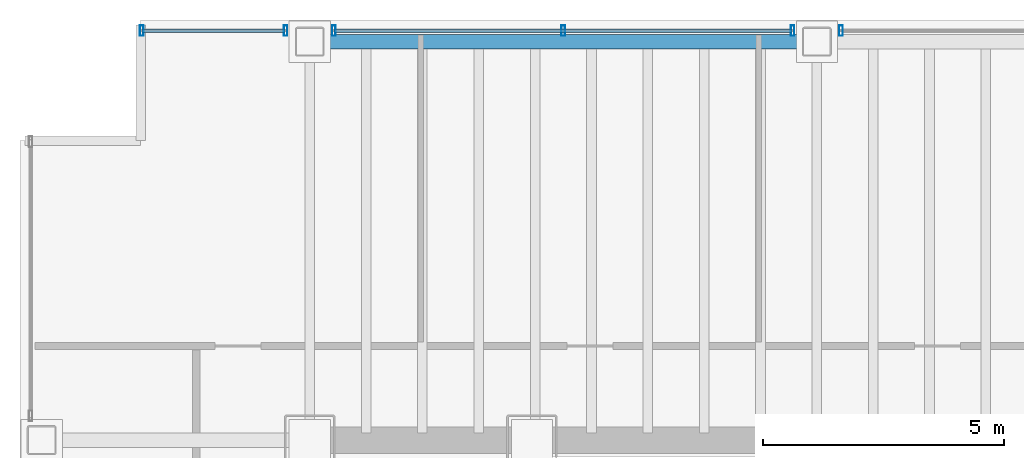
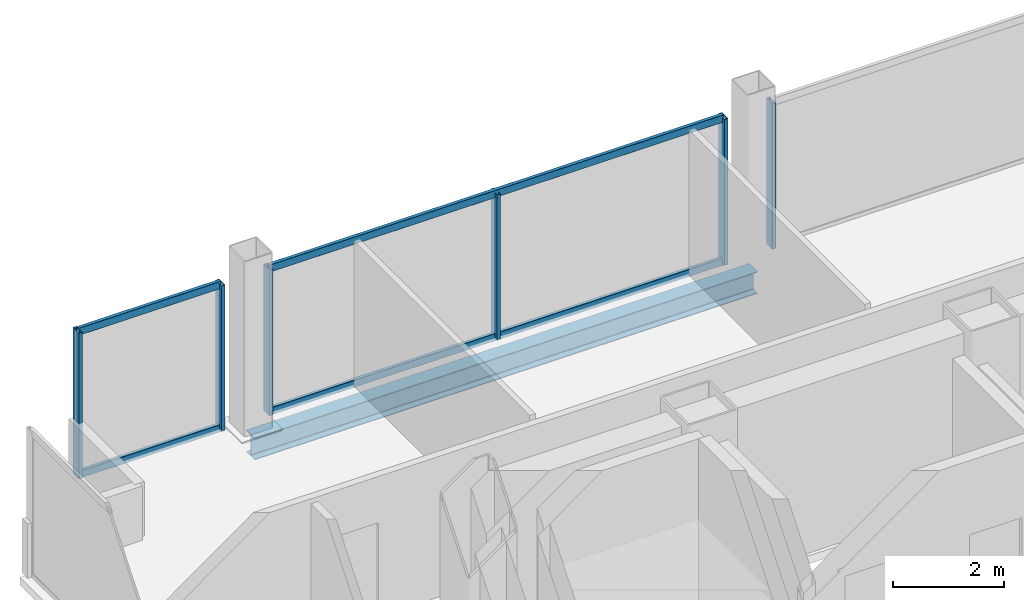
# One storey, part 13 of 20: 10 members, 1 beam, 3 elements without a shape of their own.
"""IFC4 building model written with IfcOpenShell, lengths in metres."""

import ifcopenshell
import ifcopenshell.guid

model = None  # the IFC model being written
_history = None  # IfcOwnerHistory: only IFC2X3 demands one
_inside = {}  # id of a spatial element -> (the spatial element, [elements in it])
_under = {}  # id of a project, library or spatial element -> (it, [spatial elements below it])
_declared = {}  # id of a project -> (the project, [libraries it declares])
_typed = {}  # id of a type object -> (the type object, [elements of that type])
_made_of = {}  # id of a material, layer set ... -> (it, [elements and type objects made of it])


def new_model(schema):
    """Start an empty IFC model of exactly this schema.

    Asked for "IFC4X3", IfcOpenShell would pick the latest addendum, in which some entities
    have other attributes; the version numbers below select the first issue.
    IFC2X3 requires an IfcOwnerHistory on every rooted entity: one is made here for all.
    """
    global model, _history
    if schema == "IFC4X3":
        model = ifcopenshell.file(schema_version=(4, 3, 0, 0))
    else:
        model = ifcopenshell.file(schema=schema)
    _inside.clear()
    _under.clear()
    _declared.clear()
    _typed.clear()
    _made_of.clear()
    _history = None
    if model.schema == "IFC2X3":
        org = make("IfcOrganization", Name="unknown")
        user = make(
            "IfcPersonAndOrganization",
            ThePerson=make("IfcPerson", FamilyName="unknown"),
            TheOrganization=org,
        )
        app = make(
            "IfcApplication",
            ApplicationDeveloper=org,
            Version="unknown",
            ApplicationFullName="unknown",
            ApplicationIdentifier="unknown",
        )
        _history = make(
            "IfcOwnerHistory",
            OwningUser=user,
            OwningApplication=app,
            ChangeAction="ADDED",
            CreationDate=0,
        )
    return model


def make(cls, **values):
    """One entity of the class cls with the attributes given. An attribute that is None is left unset."""
    return model.create_entity(
        cls, **{name: value for name, value in values.items() if value is not None}
    )


def rooted(cls, **values):
    """An entity with a GlobalId (a new one), such as an element, a storey or a relation."""
    return make(cls, GlobalId=ifcopenshell.guid.new(), OwnerHistory=_history, **values)


def si_unit(unit_type, name, prefix=None):
    """IfcSIUnit, for example si_unit("LENGTHUNIT", "METRE", prefix="MILLI")."""
    return make("IfcSIUnit", UnitType=unit_type, Prefix=prefix, Name=name)


def assignment(units):
    """IfcUnitAssignment: the units of a project."""
    return None if units is None else make("IfcUnitAssignment", Units=units)


def point(xyz):
    """IfcCartesianPoint."""
    return None if xyz is None else make("IfcCartesianPoint", Coordinates=xyz)


def direction(xyz):
    """IfcDirection."""
    return None if xyz is None else make("IfcDirection", DirectionRatios=xyz)


def frame(location, z_axis=None, x_axis=None):
    """IfcAxis2Placement3D, a coordinate frame: its origin and axes. An axis left out is left unset."""
    return make(
        "IfcAxis2Placement3D",
        Location=point(location),
        Axis=direction(z_axis),
        RefDirection=direction(x_axis),
    )


def frame_2d(location, x_axis=None):
    """IfcAxis2Placement2D, a coordinate frame in the plane: its origin and x axis."""
    return make(
        "IfcAxis2Placement2D", Location=point(location), RefDirection=direction(x_axis)
    )


def origin():
    """The frame at (0, 0, 0) with its axes left unset."""
    return frame((0.0, 0.0, 0.0))


def origin_2d():
    """The frame at (0, 0) in the plane with its x axis left unset."""
    return frame_2d((0.0, 0.0))


def place(relative_to, where):
    """IfcLocalPlacement: puts the frame where relative to a parent placement (None: the world)."""
    return make(
        "IfcLocalPlacement", PlacementRelTo=relative_to, RelativePlacement=where
    )


def context(
    kind, dimensions, precision=None, world=None, true_north=None, identifier=None
):
    """IfcGeometricRepresentationContext, for example the 3D "Model" context."""
    return make(
        "IfcGeometricRepresentationContext",
        ContextIdentifier=identifier,
        ContextType=kind,
        CoordinateSpaceDimension=dimensions,
        Precision=precision,
        WorldCoordinateSystem=world,
        TrueNorth=true_north,
    )


def subcontext(parent, identifier, kind, view, scale=None):
    """IfcGeometricRepresentationSubContext, for example "Body" below "Model"."""
    return make(
        "IfcGeometricRepresentationSubContext",
        ContextIdentifier=identifier,
        ContextType=kind,
        ParentContext=parent,
        TargetScale=scale,
        TargetView=view,
    )


def project(units=None, contexts=None):
    """IfcProject with its units and contexts."""
    return rooted(
        "IfcProject",
        Name="project",
        RepresentationContexts=contexts,
        UnitsInContext=assignment(units),
    )


def spatial(cls, under=None, at=None, **own):
    """A site, building, storey or space (cls), placed at a placement, below another one or the project."""
    s = rooted(cls, ObjectPlacement=at, **own)
    if under is not None:
        _under.setdefault(under.id(), (under, []))[1].append(s)
    return s


def profile(cls, at=None, kind="AREA", **sizes):
    """A parametric profile (cls). Its sizes go by their IFC names, for example OverallWidth=200.0."""
    return make(cls, ProfileType=kind, Position=at, **sizes)


def hollow_rectangle(**sizes):
    """IfcRectangleHollowProfileDef."""
    return profile("IfcRectangleHollowProfileDef", **sizes)


def i_section(**sizes):
    """IfcIShapeProfileDef."""
    return profile("IfcIShapeProfileDef", **sizes)


def extrude(swept, where, along, depth):
    """IfcExtrudedAreaSolid: the profile swept, set in the frame where, extruded along a direction by depth."""
    return make(
        "IfcExtrudedAreaSolid",
        SweptArea=swept,
        Position=where,
        ExtrudedDirection=direction(along),
        Depth=depth,
    )


def shape(context_of_items, identifier, shape_type, items):
    """IfcShapeRepresentation: the items that make up one representation, for example the "Body"."""
    return make(
        "IfcShapeRepresentation",
        ContextOfItems=context_of_items,
        RepresentationIdentifier=identifier,
        RepresentationType=shape_type,
        Items=items,
    )


def material(Name=None, Category=None):
    """IfcMaterial."""
    return make("IfcMaterial", Name=Name, Category=Category)


def material_profile(
    of_material, cross_section, Name=None, Category=None, Priority=None
):
    """IfcMaterialProfile: a cross section and its material."""
    return make(
        "IfcMaterialProfile",
        Name=Name,
        Material=of_material,
        Profile=cross_section,
        Priority=Priority,
        Category=Category,
    )


def profile_set(profiles, Name=None, composite=None):
    """IfcMaterialProfileSet."""
    return make(
        "IfcMaterialProfileSet",
        Name=Name,
        MaterialProfiles=profiles,
        CompositeProfile=composite,
    )


def made_of(thing, what):
    """Note that an element or type object is made of a material, layer set ...; save() writes the relation."""
    if what is not None:
        _made_of.setdefault(what.id(), (what, []))[1].append(thing)
    return thing


def type_object(cls, material=None, **own):
    """A type object (cls), such as IfcWallType, which elements share."""
    return made_of(rooted(cls, **own), material)


def element(
    cls,
    number,
    at=None,
    inside=None,
    cuts=None,
    type_object=None,
    material=None,
    context=None,
    identifier="Body",
    shape_type=None,
    held_by="IfcProductDefinitionShape",
    body=None,
    shapes=None,
    **own,
):
    """One element of the class cls, such as IfcWall. Its Tag is "e" and its number.

    at: its placement. inside: the storey or other place that contains it. cuts: it is an
    opening in that element (IfcRelVoidsElement). A single representation is given by context,
    identifier, shape_type and body (its items); several are given by shapes. held_by: the class
    of the entity that holds the representations. save() writes the other relations.
    """
    e = rooted(cls, Tag="e%d" % number, ObjectPlacement=at, **own)
    if body is not None:
        shapes = [shape(context, identifier, shape_type, body)]
    if shapes is not None:
        e.Representation = make(held_by, Representations=shapes)
    if inside is not None:
        _inside.setdefault(inside.id(), (inside, []))[1].append(e)
    if cuts is not None:
        rooted(
            "IfcRelVoidsElement", RelatingBuildingElement=cuts, RelatedOpeningElement=e
        )
    if type_object is not None:
        _typed.setdefault(type_object.id(), (type_object, []))[1].append(e)
    return made_of(e, material)


def aggregate(whole, parts):
    """IfcRelAggregates: a whole, such as a stair, and the parts it consists of."""
    return rooted("IfcRelAggregates", RelatingObject=whole, RelatedObjects=parts)


def save(model, path):
    """Write the relations noted so far, then the file.

    IfcRelAggregates (storeys below a building ...), IfcRelContainedInSpatialStructure (elements
    in a storey), IfcRelDefinesByType, IfcRelAssociatesMaterial and IfcRelDeclares: one each for
    every whole, place, type object, material and project.
    """
    for whole, parts in _under.values():
        aggregate(whole, parts)
    for where, things in _inside.values():
        rooted(
            "IfcRelContainedInSpatialStructure",
            RelatedElements=things,
            RelatingStructure=where,
        )
    for kind, things in _typed.values():
        rooted("IfcRelDefinesByType", RelatedObjects=things, RelatingType=kind)
    for what, things in _made_of.values():
        rooted("IfcRelAssociatesMaterial", RelatedObjects=things, RelatingMaterial=what)
    for by, libraries in _declared.values():
        rooted("IfcRelDeclares", RelatingContext=by, RelatedDefinitions=libraries)
    model.write(path)


model = new_model("IFC4")

# Units and contexts
model_context = context("Model", 3, precision=1e-05, world=origin(), true_north=direction((0.0, 1.0)))
body_context = subcontext(model_context, "Body", "Model", "MODEL_VIEW")
ifc_project = project(units=[si_unit("LENGTHUNIT", "METRE"), si_unit("AREAUNIT", "SQUARE_METRE"), si_unit("VOLUMEUNIT", "CUBIC_METRE"), si_unit("PLANEANGLEUNIT", "RADIAN"), si_unit("MASSUNIT", "GRAM", prefix="KILO")], contexts=[model_context])

# Site, building, storey
site_placement = place(None, origin())
site = spatial("IfcSite", under=ifc_project, at=site_placement, CompositionType="ELEMENT")
building_placement = place(site_placement, origin())
building = spatial("IfcBuilding", under=site, at=building_placement, Name="Noeulbin Bourse Tower", CompositionType="ELEMENT")
storey_placement = place(building_placement, frame((0.0, 0.0, 73.300048828125)))
storey = spatial("IfcBuildingStorey", under=building, at=storey_placement, Name="L18", CompositionType="ELEMENT", Elevation=73.300048828125)

# Beam
ifc_material_1 = material(Name="Steel S355", Category="steel")
ifc_material_profile_1 = material_profile(ifc_material_1, i_section(OverallWidth=0.300048828125, OverallDepth=0.488037109375, WebThickness=0.010986328125, FlangeThickness=0.01806640625, FilletRadius=0.02197265625, at=origin_2d()), Name="H-488x300x11x18", Category="LoadBearing")
ifc_profile_set_1 = profile_set([ifc_material_profile_1], Name="Steel S355")
beam_type = type_object("IfcBeamType", Name="BM-SPN-488", PredefinedType="SPANDREL", material=ifc_profile_set_1)
beam_placement = place(storey_placement, frame((13.5, 46.550048828125, -0.424072265625), z_axis=(1.0, 0.0, 0.0), x_axis=(0.0, 1.0, 0.0)))
element("IfcBeam", 1, at=beam_placement, inside=storey, type_object=beam_type, Name="North Spandrel L18-1", PredefinedType="SPANDREL", context=body_context, shape_type="SweptSolid", body=[
    extrude(i_section(OverallWidth=0.300048828125, OverallDepth=0.488037109375, WebThickness=0.010986328125, FlangeThickness=0.01806640625, FilletRadius=0.02197265625, at=origin_2d()), origin(), (0.0, 0.0, 1.0), 10.5),
])

# Curtain wall, members
ifc_material_2 = material(Name="Dark Solar-Control Double Glazing", Category="glass")
curtain_wall_type = type_object("IfcCurtainWallType", Name="CW-SYS-2", PredefinedType="NOTDEFINED", material=ifc_material_2)
curtain_wall_1_placement = place(storey_placement, origin())
curtain_wall_1 = element("IfcCurtainWall", 2, at=curtain_wall_1_placement, inside=storey, type_object=curtain_wall_type, Name="Unitised Curtain Wall CW-L18-N-S1", PredefinedType="NOTDEFINED")
ifc_material_3 = material(Name="Anodised Aluminium 6063-T6", Category="aluminium")
ifc_material_profile_2 = material_profile(ifc_material_3, hollow_rectangle(XDim=0.074951171875, YDim=0.219970703125, WallThickness=0.0048828125, InnerFilletRadius=0.00244140625, OuterFilletRadius=0.0048828125, at=origin_2d()), Name="ALU-MULL-75x220x5", Category="LoadBearing")
ifc_profile_set_2 = profile_set([ifc_material_profile_2], Name="Anodised Aluminium 6063-T6")
member_type_1 = type_object("IfcMemberType", Name="CW-SYS-2-MUL", PredefinedType="MULLION", material=ifc_profile_set_2)
member_1_placement = place(storey_placement, frame((10.02001953125, 46.780029296875, -0.02001953125), z_axis=(0.0, 0.0, 1.0), x_axis=(1.0, 0.0, 0.0)))
member_1 = element("IfcMember", 3, at=member_1_placement, type_object=member_type_1, Name="Curtain Wall Mullion CW-L18-N-S1-M00", PredefinedType="MULLION", context=body_context, shape_type="SweptSolid", body=[
    extrude(hollow_rectangle(XDim=0.074951171875, YDim=0.219970703125, WallThickness=0.0048828125, InnerFilletRadius=0.00244140625, OuterFilletRadius=0.0048828125, at=origin_2d()), origin(), (0.0, 0.0, 1.0), 3.219970703125),
])
member_2_placement = place(storey_placement, frame((13.0, 46.780029296875, -0.02001953125), z_axis=(0.0, 0.0, 1.0), x_axis=(1.0, 0.0, 0.0)))
member_2 = element("IfcMember", 4, at=member_2_placement, type_object=member_type_1, Name="Curtain Wall Mullion CW-L18-N-S1-M01", PredefinedType="MULLION", context=body_context, shape_type="SweptSolid", body=[
    extrude(hollow_rectangle(XDim=0.074951171875, YDim=0.219970703125, WallThickness=0.0048828125, InnerFilletRadius=0.00244140625, OuterFilletRadius=0.0048828125, at=origin_2d()), origin(), (0.0, 0.0, 1.0), 3.219970703125),
])

curtain_wall_2_placement = place(storey_placement, origin())
curtain_wall_2 = element("IfcCurtainWall", 5, at=curtain_wall_2_placement, inside=storey, type_object=curtain_wall_type, Name="Unitised Curtain Wall CW-L18-N-S2", PredefinedType="NOTDEFINED")
member_3_placement = place(storey_placement, frame((14.0, 46.780029296875, -0.02001953125), z_axis=(0.0, 0.0, 1.0), x_axis=(1.0, 0.0, 0.0)))
member_3 = element("IfcMember", 6, at=member_3_placement, type_object=member_type_1, Name="Curtain Wall Mullion CW-L18-N-S2-M00", PredefinedType="MULLION", context=body_context, shape_type="SweptSolid", body=[
    extrude(hollow_rectangle(XDim=0.074951171875, YDim=0.219970703125, WallThickness=0.0048828125, InnerFilletRadius=0.00244140625, OuterFilletRadius=0.0048828125, at=origin_2d()), origin(), (0.0, 0.0, 1.0), 3.219970703125),
])
member_4_placement = place(storey_placement, frame((18.75, 46.780029296875, -0.02001953125), z_axis=(0.0, 0.0, 1.0), x_axis=(1.0, 0.0, 0.0)))
member_4 = element("IfcMember", 7, at=member_4_placement, type_object=member_type_1, Name="Curtain Wall Mullion CW-L18-N-S2-M01", PredefinedType="MULLION", context=body_context, shape_type="SweptSolid", body=[
    extrude(hollow_rectangle(XDim=0.074951171875, YDim=0.219970703125, WallThickness=0.0048828125, InnerFilletRadius=0.00244140625, OuterFilletRadius=0.0048828125, at=origin_2d()), origin(), (0.0, 0.0, 1.0), 3.219970703125),
])
member_5_placement = place(storey_placement, frame((23.5, 46.780029296875, -0.02001953125), z_axis=(0.0, 0.0, 1.0), x_axis=(1.0, 0.0, 0.0)))
member_5 = element("IfcMember", 8, at=member_5_placement, type_object=member_type_1, Name="Curtain Wall Mullion CW-L18-N-S2-M02", PredefinedType="MULLION", context=body_context, shape_type="SweptSolid", body=[
    extrude(hollow_rectangle(XDim=0.074951171875, YDim=0.219970703125, WallThickness=0.0048828125, InnerFilletRadius=0.00244140625, OuterFilletRadius=0.0048828125, at=origin_2d()), origin(), (0.0, 0.0, 1.0), 3.219970703125),
])

# Curtain wall, member
curtain_wall_3_placement = place(storey_placement, origin())
curtain_wall_3 = element("IfcCurtainWall", 9, at=curtain_wall_3_placement, inside=storey, type_object=curtain_wall_type, Name="Unitised Curtain Wall CW-L18-N-S3", PredefinedType="NOTDEFINED")
member_6_placement = place(storey_placement, frame((24.5, 46.780029296875, -0.02001953125), z_axis=(0.0, 0.0, 1.0), x_axis=(1.0, 0.0, 0.0)))
member_6 = element("IfcMember", 10, at=member_6_placement, type_object=member_type_1, Name="Curtain Wall Mullion CW-L18-N-S3-M00", PredefinedType="MULLION", context=body_context, shape_type="SweptSolid", body=[
    extrude(hollow_rectangle(XDim=0.074951171875, YDim=0.219970703125, WallThickness=0.0048828125, InnerFilletRadius=0.00244140625, OuterFilletRadius=0.0048828125, at=origin_2d()), origin(), (0.0, 0.0, 1.0), 3.219970703125),
])
aggregate(curtain_wall_3, [member_6])

# Member
ifc_material_profile_3 = material_profile(ifc_material_3, hollow_rectangle(XDim=0.074951171875, YDim=0.159912109375, WallThickness=0.0048828125, InnerFilletRadius=0.00244140625, OuterFilletRadius=0.0048828125, at=origin_2d()), Name="ALU-TRAN-75x160x5", Category="LoadBearing")
ifc_profile_set_3 = profile_set([ifc_material_profile_3], Name="Anodised Aluminium 6063-T6")
member_type_2 = type_object("IfcMemberType", Name="CW-SYS-2-TRN", PredefinedType="USERDEFINED", material=ifc_profile_set_3)
member_7_placement = place(storey_placement, frame((10.030029296875, 46.780029296875, 0.010009765625), z_axis=(1.0, 0.0, 0.0), x_axis=(0.0, 1.0, 0.0)))
member_7 = element("IfcMember", 11, at=member_7_placement, type_object=member_type_2, Name="Curtain Wall Transom CW-L18-N-S1-T00", ObjectType="TRANSOM", PredefinedType="USERDEFINED", context=body_context, shape_type="SweptSolid", body=[
    extrude(hollow_rectangle(XDim=0.074951171875, YDim=0.159912109375, WallThickness=0.0048828125, InnerFilletRadius=0.00244140625, OuterFilletRadius=0.0048828125, at=origin_2d()), origin(), (0.0, 0.0, 1.0), 2.9599609375),
])

member_8_placement = place(storey_placement, frame((10.030029296875, 46.780029296875, 3.169921875), z_axis=(1.0, 0.0, 0.0), x_axis=(0.0, 1.0, 0.0)))
member_8 = element("IfcMember", 12, at=member_8_placement, type_object=member_type_2, Name="Curtain Wall Transom CW-L18-N-S1-T01", ObjectType="TRANSOM", PredefinedType="USERDEFINED", context=body_context, shape_type="SweptSolid", body=[
    extrude(hollow_rectangle(XDim=0.074951171875, YDim=0.159912109375, WallThickness=0.0048828125, InnerFilletRadius=0.00244140625, OuterFilletRadius=0.0048828125, at=origin_2d()), origin(), (0.0, 0.0, 1.0), 2.9599609375),
])

aggregate(curtain_wall_1, [member_1, member_2, member_7, member_8])

member_9_placement = place(storey_placement, frame((14.010009765625, 46.780029296875, 0.010009765625), z_axis=(1.0, 0.0, 0.0), x_axis=(0.0, 1.0, 0.0)))
member_9 = element("IfcMember", 13, at=member_9_placement, type_object=member_type_2, Name="Curtain Wall Transom CW-L18-N-S2-T00", ObjectType="TRANSOM", PredefinedType="USERDEFINED", context=body_context, shape_type="SweptSolid", body=[
    extrude(hollow_rectangle(XDim=0.074951171875, YDim=0.159912109375, WallThickness=0.0048828125, InnerFilletRadius=0.00244140625, OuterFilletRadius=0.0048828125, at=origin_2d()), origin(), (0.0, 0.0, 1.0), 9.47998046875),
])

member_10_placement = place(storey_placement, frame((14.010009765625, 46.780029296875, 3.169921875), z_axis=(1.0, 0.0, 0.0), x_axis=(0.0, 1.0, 0.0)))
member_10 = element("IfcMember", 14, at=member_10_placement, type_object=member_type_2, Name="Curtain Wall Transom CW-L18-N-S2-T01", ObjectType="TRANSOM", PredefinedType="USERDEFINED", context=body_context, shape_type="SweptSolid", body=[
    extrude(hollow_rectangle(XDim=0.074951171875, YDim=0.159912109375, WallThickness=0.0048828125, InnerFilletRadius=0.00244140625, OuterFilletRadius=0.0048828125, at=origin_2d()), origin(), (0.0, 0.0, 1.0), 9.47998046875),
])

aggregate(curtain_wall_2, [member_3, member_4, member_5, member_9, member_10])

save(model, "model.ifc")
